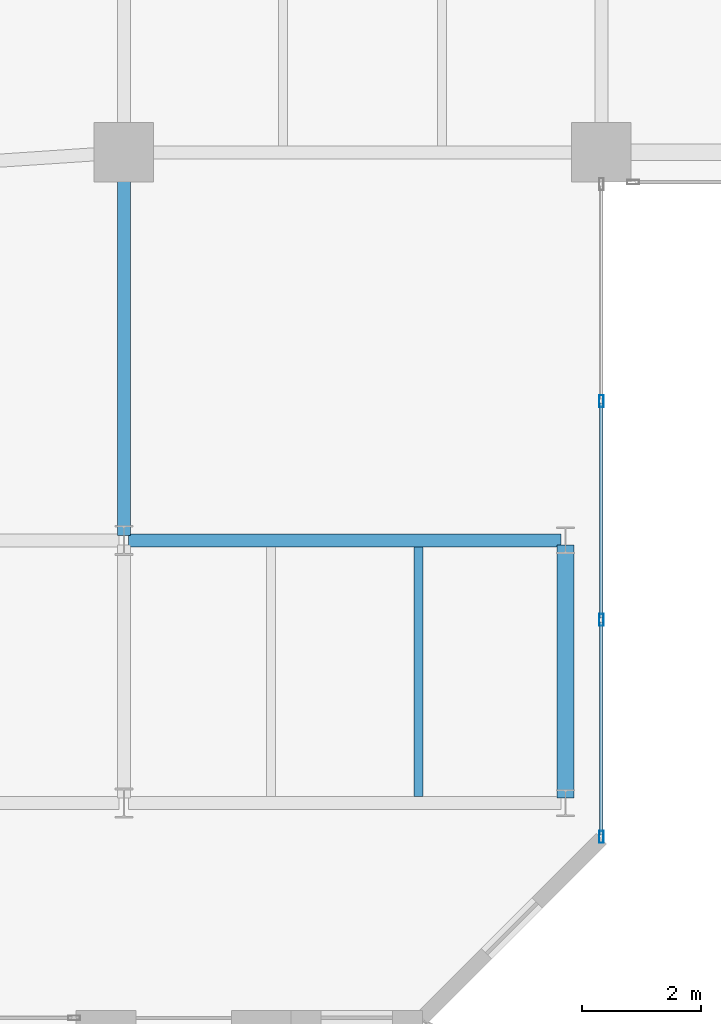
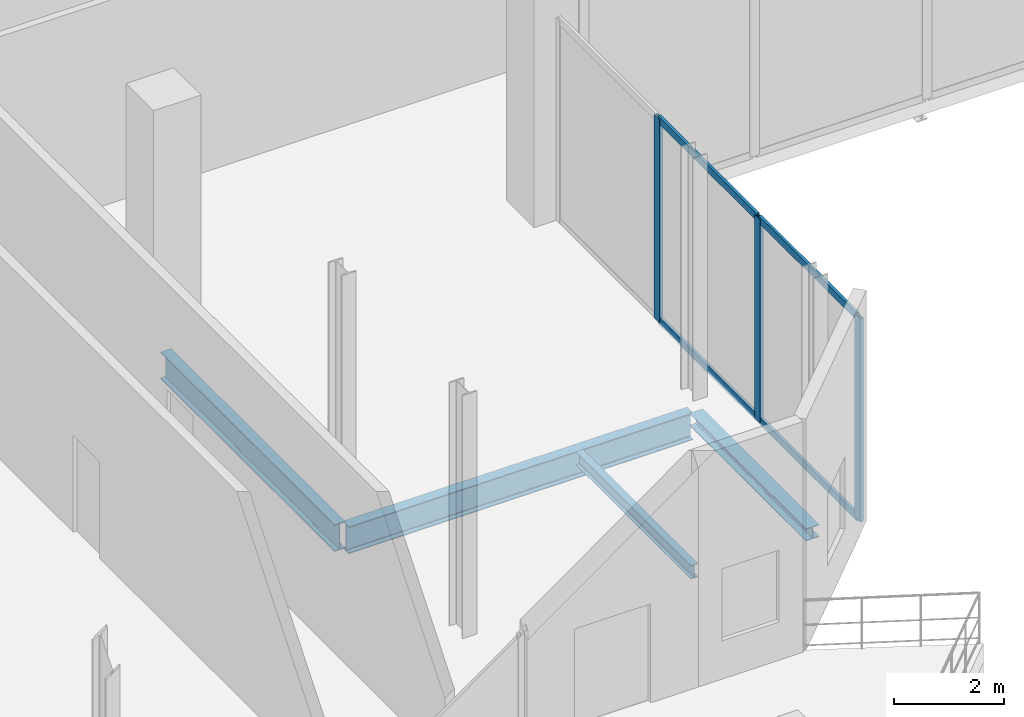
# One storey, part 5 of 17: 7 members, 4 beams, 1 element without a shape of its own.
"""IFC4 building model written with IfcOpenShell, lengths in metres."""

from ifc_helpers import new_model, si_unit, direction, frame, origin, origin_2d, place, context, subcontext, project, spatial, hollow_rectangle, i_section, extrude, material, layer, layer_set, material_profile, profile_set, type_object, element, aggregate, save


model = new_model("IFC4")

# Units and contexts
model_context = context("Model", 3, precision=1e-05, world=origin(), true_north=direction((0.0, 1.0)))
body_context = subcontext(model_context, "Body", "Model", "MODEL_VIEW")
ifc_project = project(units=[si_unit("LENGTHUNIT", "METRE"), si_unit("AREAUNIT", "SQUARE_METRE"), si_unit("VOLUMEUNIT", "CUBIC_METRE"), si_unit("PLANEANGLEUNIT", "RADIAN"), si_unit("MASSUNIT", "GRAM", prefix="KILO")], contexts=[model_context])

# Site, building, storey
site_placement = place(None, origin())
site = spatial("IfcSite", under=ifc_project, at=site_placement, CompositionType="ELEMENT")
building_placement = place(site_placement, origin())
building = spatial("IfcBuilding", under=site, at=building_placement, Name="Catumbela Crestline Tower", CompositionType="ELEMENT")
storey_placement = place(building_placement, frame((0.0, 0.0, 213.0)))
storey = spatial("IfcBuildingStorey", under=building, at=storey_placement, Name="L55", CompositionType="ELEMENT", Elevation=213.0)

# Beams
ifc_material_1 = material(Name="Structural steel S355J2", Category="steel")
ifc_material_profile_1 = material_profile(ifc_material_1, i_section(OverallWidth=0.22, OverallDepth=0.6, WebThickness=0.012, FlangeThickness=0.019, FilletRadius=0.024, at=origin_2d()), Name="IPE 600")
ifc_profile_set_1 = profile_set([ifc_material_profile_1], Name="Structural steel S355J2")
beam_type_1 = type_object("IfcBeamType", Name="BG-IPE600", PredefinedType="BEAM", material=ifc_profile_set_1)
beam_1_placement = place(storey_placement, frame((16.08, 18.0, -0.65), z_axis=(1.0, 0.0, 0.0), x_axis=(0.0, 1.0, 0.0)))
element("IfcBeam", 1, at=beam_1_placement, inside=storey, type_object=beam_type_1, Name="L55 Beam BM-L55-WEW30", PredefinedType="BEAM", context=body_context, shape_type="SweptSolid", body=[
    extrude(i_section(OverallWidth=0.22, OverallDepth=0.6, WebThickness=0.012, FlangeThickness=0.019, FilletRadius=0.024, at=origin_2d()), origin(), (0.0, 0.0, 1.0), 7.24),
])
beam_2_placement = place(storey_placement, frame((16.0, 18.08, -0.65), z_axis=(0.0, 1.0, 0.0), x_axis=(-1.0, 0.0, 0.0)))
element("IfcBeam", 2, at=beam_2_placement, inside=storey, type_object=beam_type_1, Name="L55 Beam BM-L55-WNS34", PredefinedType="BEAM", context=body_context, shape_type="SweptSolid", body=[
    extrude(i_section(OverallWidth=0.22, OverallDepth=0.6, WebThickness=0.012, FlangeThickness=0.019, FilletRadius=0.024, at=origin_2d()), origin(), (0.0, 0.0, 1.0), 6.34),
])
ifc_material_profile_2 = material_profile(ifc_material_1, i_section(OverallWidth=0.15, OverallDepth=0.3, WebThickness=0.0071, FlangeThickness=0.0107, FilletRadius=0.015, at=origin_2d()), Name="IPE 300")
ifc_profile_set_2 = profile_set([ifc_material_profile_2], Name="Structural steel S355J2")
beam_type_2 = type_object("IfcBeamType", Name="BJ-IPE300", PredefinedType="JOIST", material=ifc_profile_set_2)
beam_3_placement = place(storey_placement, frame((20.933, 13.71, -0.5), z_axis=(0.0, 1.0, 0.0), x_axis=(-1.0, 0.0, 0.0)))
element("IfcBeam", 3, at=beam_3_placement, inside=storey, type_object=beam_type_2, Name="L55 Joist JS-L55-WG39", PredefinedType="JOIST", context=body_context, shape_type="SweptSolid", body=[
    extrude(i_section(OverallWidth=0.15, OverallDepth=0.3, WebThickness=0.0071, FlangeThickness=0.0107, FilletRadius=0.015, at=origin_2d()), origin(), (0.0, 0.0, 1.0), 4.18),
])

# Curtain wall, members
ifc_material_2 = material(Name="Aluminium alloy AW-6060-T66", Category="aluminium")
ifc_layer = layer(ifc_material_2, 0.18, Name="Aluminium alloy AW-6060-T66")
ifc_layer_set = layer_set([ifc_layer], Name="Aluminium alloy AW-6060-T66")
curtain_wall_type = type_object("IfcCurtainWallType", Name="CWU-SKY", PredefinedType="USERDEFINED", material=ifc_layer_set)
curtain_wall_placement = place(storey_placement, origin())
curtain_wall = element("IfcCurtainWall", 4, at=curtain_wall_placement, inside=storey, type_object=curtain_wall_type, Name="L55 Unitised Curtain Wall CW-L55-E2S1", ObjectType="UNITISED", PredefinedType="USERDEFINED")
ifc_material_profile_3 = material_profile(ifc_material_2, hollow_rectangle(XDim=0.075, YDim=0.2, WallThickness=0.005, at=origin_2d()), Name="ALU 200x75x5")
ifc_profile_set_3 = profile_set([ifc_material_profile_3], Name="Aluminium alloy AW-6060-T66")
member_type_1 = type_object("IfcMemberType", Name="MUL-200X75", PredefinedType="MULLION", material=ifc_profile_set_3)
member_1_placement = place(storey_placement, frame((24.0, 13.0325, 0.0), z_axis=(0.0, 0.0, 1.0), x_axis=(-1.0, 0.0, 0.0)))
member_1 = element("IfcMember", 5, at=member_1_placement, type_object=member_type_1, Name="CWU-SKY mullion 1", PredefinedType="MULLION", context=body_context, shape_type="SweptSolid", body=[
    extrude(hollow_rectangle(XDim=0.075, YDim=0.2, WallThickness=0.005, at=origin_2d()), origin(), (0.0, 0.0, 1.0), 4.52),
])
member_2_placement = place(storey_placement, frame((24.0, 16.6667, 0.0), z_axis=(0.0, 0.0, 1.0), x_axis=(-1.0, 0.0, 0.0)))
member_2 = element("IfcMember", 6, at=member_2_placement, type_object=member_type_1, Name="CWU-SKY mullion 2", PredefinedType="MULLION", context=body_context, shape_type="SweptSolid", body=[
    extrude(hollow_rectangle(XDim=0.075, YDim=0.2, WallThickness=0.005, at=origin_2d()), origin(), (0.0, 0.0, 1.0), 4.52),
])
member_3_placement = place(storey_placement, frame((24.0, 20.3333, 0.0), z_axis=(0.0, 0.0, 1.0), x_axis=(-1.0, 0.0, 0.0)))
member_3 = element("IfcMember", 7, at=member_3_placement, type_object=member_type_1, Name="CWU-SKY mullion 3", PredefinedType="MULLION", context=body_context, shape_type="SweptSolid", body=[
    extrude(hollow_rectangle(XDim=0.075, YDim=0.2, WallThickness=0.005, at=origin_2d()), origin(), (0.0, 0.0, 1.0), 4.52),
])

# Beam
ifc_material_profile_4 = material_profile(ifc_material_1, i_section(OverallWidth=0.28, OverallDepth=0.28, WebThickness=0.0105, FlangeThickness=0.018, FilletRadius=0.024, at=origin_2d()), Name="HEB 280")
ifc_profile_set_4 = profile_set([ifc_material_profile_4], Name="Structural steel S355J2")
beam_type_3 = type_object("IfcBeamType", Name="BS-HEB280", PredefinedType="SPANDREL", material=ifc_profile_set_4)
beam_4_placement = place(storey_placement, frame((23.4, 13.68, -0.49), z_axis=(0.0, 1.0, 0.0), x_axis=(-1.0, 0.0, 0.0)))
element("IfcBeam", 8, at=beam_4_placement, inside=storey, type_object=beam_type_3, Name="L55 Spandrel SP-L55-WNS35", PredefinedType="SPANDREL", context=body_context, shape_type="SweptSolid", body=[
    extrude(i_section(OverallWidth=0.28, OverallDepth=0.28, WebThickness=0.0105, FlangeThickness=0.018, FilletRadius=0.024, at=origin_2d()), origin(), (0.0, 0.0, 1.0), 4.24),
])

# Member
ifc_material_profile_5 = material_profile(ifc_material_2, hollow_rectangle(XDim=0.06, YDim=0.16, WallThickness=0.004, at=origin_2d()), Name="ALU 160x60x4")
ifc_profile_set_5 = profile_set([ifc_material_profile_5], Name="Aluminium alloy AW-6060-T66")
member_type_2 = type_object("IfcMemberType", Name="TRN-160X60", PredefinedType="USERDEFINED", material=ifc_profile_set_5)
member_4_placement = place(storey_placement, frame((24.0, 13.065, 0.03), z_axis=(0.0, 1.0, 0.0), x_axis=(-1.0, 0.0, 0.0)))
member_4 = element("IfcMember", 9, at=member_4_placement, type_object=member_type_2, Name="CWU-SKY transom 1.1", ObjectType="TRANSOM", PredefinedType="USERDEFINED", context=body_context, shape_type="SweptSolid", body=[
    extrude(hollow_rectangle(XDim=0.06, YDim=0.16, WallThickness=0.004, at=origin_2d()), origin(), (0.0, 0.0, 1.0), 3.5692),
])

member_5_placement = place(storey_placement, frame((24.0, 13.065, 4.49), z_axis=(0.0, 1.0, 0.0), x_axis=(-1.0, 0.0, 0.0)))
member_5 = element("IfcMember", 10, at=member_5_placement, type_object=member_type_2, Name="CWU-SKY transom 1.2", ObjectType="TRANSOM", PredefinedType="USERDEFINED", context=body_context, shape_type="SweptSolid", body=[
    extrude(hollow_rectangle(XDim=0.06, YDim=0.16, WallThickness=0.004, at=origin_2d()), origin(), (0.0, 0.0, 1.0), 3.5692),
])

member_6_placement = place(storey_placement, frame((24.0, 16.6992, 0.03), z_axis=(0.0, 1.0, 0.0), x_axis=(-1.0, 0.0, 0.0)))
member_6 = element("IfcMember", 11, at=member_6_placement, type_object=member_type_2, Name="CWU-SKY transom 2.1", ObjectType="TRANSOM", PredefinedType="USERDEFINED", context=body_context, shape_type="SweptSolid", body=[
    extrude(hollow_rectangle(XDim=0.06, YDim=0.16, WallThickness=0.004, at=origin_2d()), origin(), (0.0, 0.0, 1.0), 3.6016),
])

member_7_placement = place(storey_placement, frame((24.0, 16.6992, 4.49), z_axis=(0.0, 1.0, 0.0), x_axis=(-1.0, 0.0, 0.0)))
member_7 = element("IfcMember", 12, at=member_7_placement, type_object=member_type_2, Name="CWU-SKY transom 2.2", ObjectType="TRANSOM", PredefinedType="USERDEFINED", context=body_context, shape_type="SweptSolid", body=[
    extrude(hollow_rectangle(XDim=0.06, YDim=0.16, WallThickness=0.004, at=origin_2d()), origin(), (0.0, 0.0, 1.0), 3.6016),
])

aggregate(curtain_wall, [member_1, member_2, member_3, member_4, member_5, member_6, member_7])

save(model, "model.ifc")
